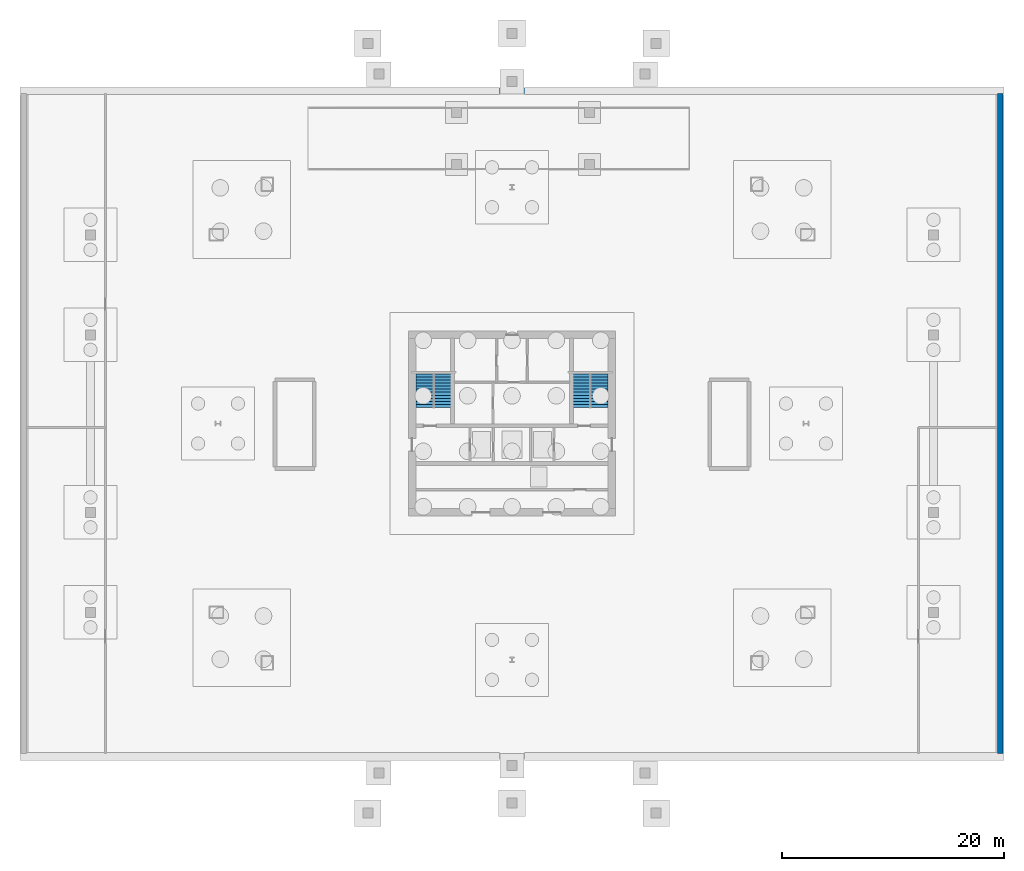
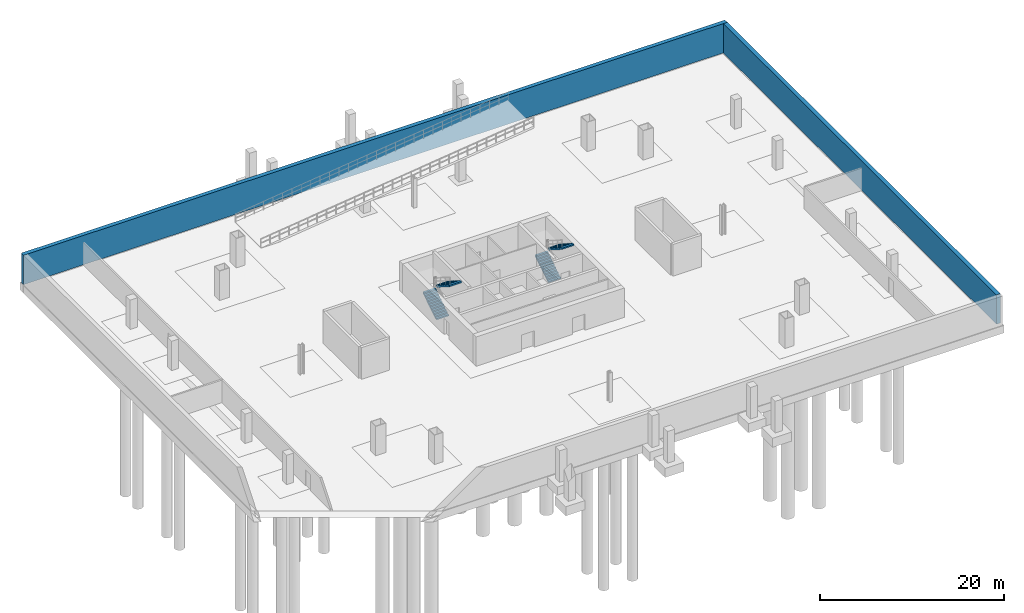
# One storey, part 5 of 7: 4 stair flights, 2 walls, 2 elements without a shape of their own.
"""IFC4 building model written with IfcOpenShell, lengths in metres."""

from ifc_helpers import new_model, si_unit, direction, frame, frame_2d, origin, place, context, subcontext, project, spatial, polyline, rectangle, outline, extrude, material, layer, layer_set, type_object, element, aggregate, save


model = new_model("IFC4")

# Units and contexts
model_context = context("Model", 3, precision=1e-05, world=origin(), true_north=direction((0.0, 1.0)))
body_context = subcontext(model_context, "Body", "Model", "MODEL_VIEW")
ifc_project = project(units=[si_unit("LENGTHUNIT", "METRE"), si_unit("AREAUNIT", "SQUARE_METRE"), si_unit("VOLUMEUNIT", "CUBIC_METRE"), si_unit("PLANEANGLEUNIT", "RADIAN"), si_unit("MASSUNIT", "GRAM", prefix="KILO")], contexts=[model_context])

# Site, building, storey
site_placement = place(None, origin())
site = spatial("IfcSite", under=ifc_project, at=site_placement, CompositionType="ELEMENT")
building_placement = place(site_placement, origin())
building = spatial("IfcBuilding", under=site, at=building_placement, Name="Caelvoria Tower", CompositionType="ELEMENT")
storey_placement = place(building_placement, frame((0.0, 0.0, -8.39990234375)))
storey = spatial("IfcBuildingStorey", under=building, at=storey_placement, Name="B2", CompositionType="ELEMENT", Elevation=-8.39990234375)

# Walls
ifc_material_1 = material(Name="Concrete C40/50", Category="concrete")
ifc_layer = layer(ifc_material_1, 0.5, Name="Concrete C40/50")
ifc_layer_set = layer_set([ifc_layer], Name="Basement Retaining Wall 500 - Concrete C40/50")
wall_type = type_object("IfcWallType", Name="Basement Retaining Wall 500", PredefinedType="SOLIDWALL", material=ifc_layer_set)
wall_1_placement = place(storey_placement, frame((1.75, 62.0, 0.0), z_axis=(0.0, 0.0, 1.0), x_axis=(1.0, 0.0, 0.0)))
element("IfcWall", 1, at=wall_1_placement, inside=storey, type_object=wall_type, Name="B2 Retaining Wall N", PredefinedType="SOLIDWALL", context=body_context, shape_type="SweptSolid", body=[
    extrude(rectangle(XDim=88.5, YDim=0.5, at=frame_2d((44.25, 0.0))), origin(), (0.0, 0.0, 1.0), 3.89990234375),
])
wall_2_placement = place(storey_placement, frame((90.0, 2.25, 0.0), z_axis=(0.0, 0.0, 1.0), x_axis=(0.0, 1.0, 0.0)))
element("IfcWall", 2, at=wall_2_placement, inside=storey, type_object=wall_type, Name="B2 Retaining Wall E", PredefinedType="SOLIDWALL", context=body_context, shape_type="SweptSolid", body=[
    extrude(rectangle(XDim=59.5, YDim=0.5, at=frame_2d((29.75, 0.0))), origin(), (0.0, 0.0, 1.0), 3.89990234375),
])

# Stair, stair flights
stair_type = type_object("IfcStairType", Name="Core Smokeproof Dogleg Stair Concrete C40/50", PredefinedType="HALF_TURN_STAIR", material=ifc_material_1)
stair_1_placement = place(storey_placement, origin())
stair_1 = element("IfcStair", 3, at=stair_1_placement, inside=storey, type_object=stair_type, Name="ST-01 Smokeproof Exit Stair B2", PredefinedType="HALF_TURN_STAIR")
ifc_material_2 = material(Name="Precast Concrete C40/50", Category="concrete")
stair_flight_type = type_object("IfcStairFlightType", Name="Precast Concrete C40/50 Stair Flight 1480", PredefinedType="STRAIGHT", material=ifc_material_2)
stair_flight_1_placement = place(storey_placement, frame((38.1298828125, 33.449951171875, 0.0), z_axis=(0.0, 0.0, 1.0), x_axis=(0.0, 1.0, 0.0)))
stair_flight_1 = element("IfcStairFlight", 4, at=stair_flight_1_placement, type_object=stair_flight_type, Name="ST-01 flight 1", NumberOfRisers=12, NumberOfTreads=11, PredefinedType="STRAIGHT", RiserHeight=0.175, TreadLength=0.275, context=body_context, shape_type="SweptSolid", body=[
    extrude(outline(polyline([(0.0, 0.0), (0.0, 0.175048828125), (0.27490234375, 0.175048828125), (0.27490234375, 0.35009765625), (0.550048828125, 0.35009765625), (0.550048828125, 0.52490234375), (0.824951171875, 0.52490234375), (0.824951171875, 0.699951171875), (1.10009765625, 0.699951171875), (1.10009765625, 0.875), (1.375, 0.875), (1.375, 1.050048828125), (1.64990234375, 1.050048828125), (1.64990234375, 1.22509765625), (1.925048828125, 1.22509765625), (1.925048828125, 1.39990234375), (2.199951171875, 1.39990234375), (2.199951171875, 1.574951171875), (2.47509765625, 1.574951171875), (2.47509765625, 1.75), (2.75, 1.75), (2.75, 1.925048828125), (3.02490234375, 1.925048828125), (3.02490234375, 2.10009765625), (3.02490234375, 1.7353515625), (0.2978515625, 0.0), (0.0, 0.0)])), frame((0.0, 0.77001953125, 0.0), z_axis=(0.0, -1.0, 0.0), x_axis=(1.0, 0.0, 0.0)), (0.0, 0.0, 1.0), 1.5400390625),
])
stair_flight_2_placement = place(storey_placement, frame((39.77001953125, 36.47509765625, 2.099853515625), z_axis=(0.0, 0.0, 1.0), x_axis=(0.0, -1.0, 0.0)))
stair_flight_2 = element("IfcStairFlight", 5, at=stair_flight_2_placement, type_object=stair_flight_type, Name="ST-01 flight 2", NumberOfRisers=12, NumberOfTreads=11, PredefinedType="STRAIGHT", RiserHeight=0.175, TreadLength=0.275, context=body_context, shape_type="SweptSolid", body=[
    extrude(outline(polyline([(0.0, 0.0), (0.0, 0.175048828125), (0.27490234375, 0.175048828125), (0.27490234375, 0.35009765625), (0.550048828125, 0.35009765625), (0.550048828125, 0.52490234375), (0.824951171875, 0.52490234375), (0.824951171875, 0.699951171875), (1.10009765625, 0.699951171875), (1.10009765625, 0.875), (1.375, 0.875), (1.375, 1.050048828125), (1.64990234375, 1.050048828125), (1.64990234375, 1.22509765625), (1.925048828125, 1.22509765625), (1.925048828125, 1.39990234375), (2.199951171875, 1.39990234375), (2.199951171875, 1.574951171875), (2.47509765625, 1.574951171875), (2.47509765625, 1.75), (2.75, 1.75), (2.75, 1.925048828125), (3.02490234375, 1.925048828125), (3.02490234375, 2.10009765625), (3.02490234375, 1.7353515625), (0.2978515625, 0.0), (0.0, 0.0)])), frame((0.0, 0.77001953125, 0.0), z_axis=(0.0, -1.0, 0.0), x_axis=(1.0, 0.0, 0.0)), (0.0, 0.0, 1.0), 1.5400390625),
])
aggregate(stair_1, [stair_flight_1, stair_flight_2])

stair_2_placement = place(storey_placement, origin())
stair_2 = element("IfcStair", 6, at=stair_2_placement, inside=storey, type_object=stair_type, Name="ST-02 Smokeproof Exit Stair B2", PredefinedType="HALF_TURN_STAIR")
stair_flight_3_placement = place(storey_placement, frame((52.22998046875, 33.449951171875, 0.0), z_axis=(0.0, 0.0, 1.0), x_axis=(0.0, 1.0, 0.0)))
stair_flight_3 = element("IfcStairFlight", 7, at=stair_flight_3_placement, type_object=stair_flight_type, Name="ST-02 flight 1", NumberOfRisers=12, NumberOfTreads=11, PredefinedType="STRAIGHT", RiserHeight=0.175, TreadLength=0.275, context=body_context, shape_type="SweptSolid", body=[
    extrude(outline(polyline([(0.0, 0.0), (0.0, 0.175048828125), (0.27490234375, 0.175048828125), (0.27490234375, 0.35009765625), (0.550048828125, 0.35009765625), (0.550048828125, 0.52490234375), (0.824951171875, 0.52490234375), (0.824951171875, 0.699951171875), (1.10009765625, 0.699951171875), (1.10009765625, 0.875), (1.375, 0.875), (1.375, 1.050048828125), (1.64990234375, 1.050048828125), (1.64990234375, 1.22509765625), (1.925048828125, 1.22509765625), (1.925048828125, 1.39990234375), (2.199951171875, 1.39990234375), (2.199951171875, 1.574951171875), (2.47509765625, 1.574951171875), (2.47509765625, 1.75), (2.75, 1.75), (2.75, 1.925048828125), (3.02490234375, 1.925048828125), (3.02490234375, 2.10009765625), (3.02490234375, 1.7353515625), (0.2978515625, 0.0), (0.0, 0.0)])), frame((0.0, 0.77001953125, 0.0), z_axis=(0.0, -1.0, 0.0), x_axis=(1.0, 0.0, 0.0)), (0.0, 0.0, 1.0), 1.5400390625),
])
stair_flight_4_placement = place(storey_placement, frame((53.8701171875, 36.47509765625, 2.099853515625), z_axis=(0.0, 0.0, 1.0), x_axis=(0.0, -1.0, 0.0)))
stair_flight_4 = element("IfcStairFlight", 8, at=stair_flight_4_placement, type_object=stair_flight_type, Name="ST-02 flight 2", NumberOfRisers=12, NumberOfTreads=11, PredefinedType="STRAIGHT", RiserHeight=0.175, TreadLength=0.275, context=body_context, shape_type="SweptSolid", body=[
    extrude(outline(polyline([(0.0, 0.0), (0.0, 0.175048828125), (0.27490234375, 0.175048828125), (0.27490234375, 0.35009765625), (0.550048828125, 0.35009765625), (0.550048828125, 0.52490234375), (0.824951171875, 0.52490234375), (0.824951171875, 0.699951171875), (1.10009765625, 0.699951171875), (1.10009765625, 0.875), (1.375, 0.875), (1.375, 1.050048828125), (1.64990234375, 1.050048828125), (1.64990234375, 1.22509765625), (1.925048828125, 1.22509765625), (1.925048828125, 1.39990234375), (2.199951171875, 1.39990234375), (2.199951171875, 1.574951171875), (2.47509765625, 1.574951171875), (2.47509765625, 1.75), (2.75, 1.75), (2.75, 1.925048828125), (3.02490234375, 1.925048828125), (3.02490234375, 2.10009765625), (3.02490234375, 1.7353515625), (0.2978515625, 0.0), (0.0, 0.0)])), frame((0.0, 0.77001953125, 0.0), z_axis=(0.0, -1.0, 0.0), x_axis=(1.0, 0.0, 0.0)), (0.0, 0.0, 1.0), 1.5400390625),
])
aggregate(stair_2, [stair_flight_3, stair_flight_4])

save(model, "model.ifc")
